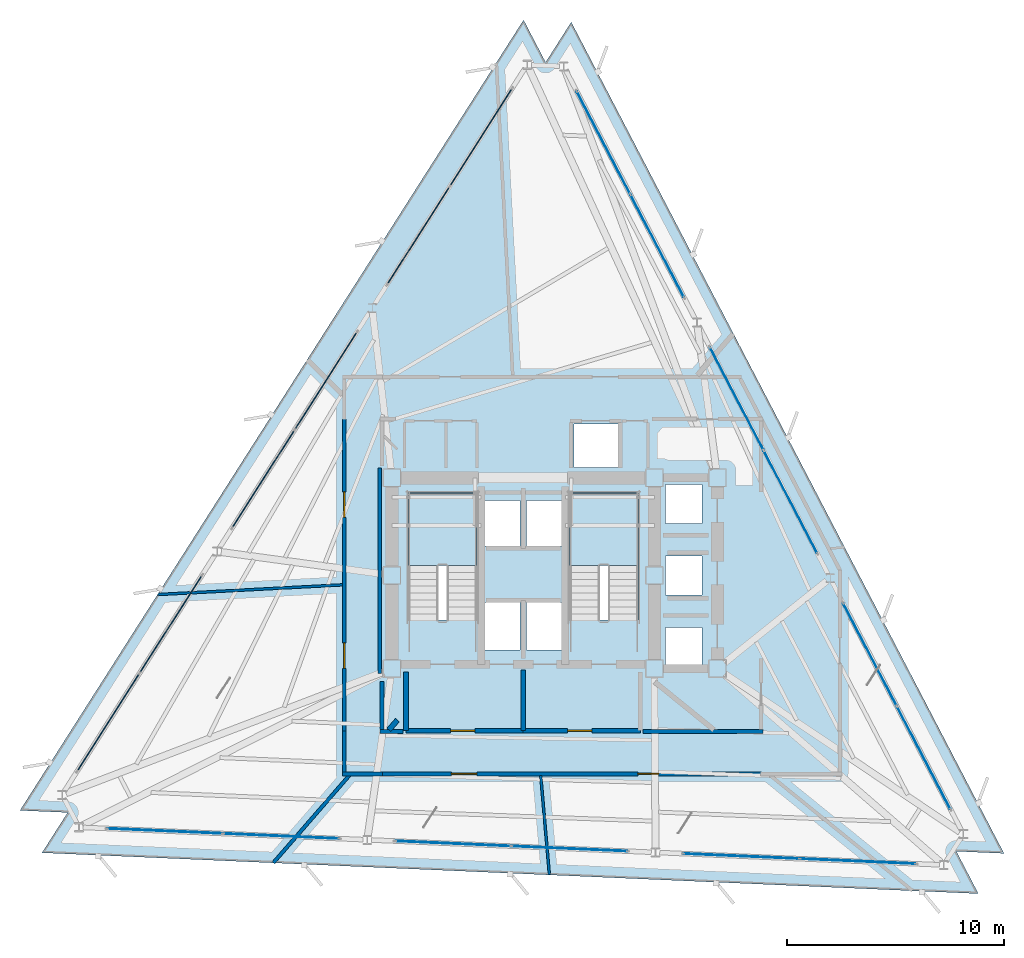
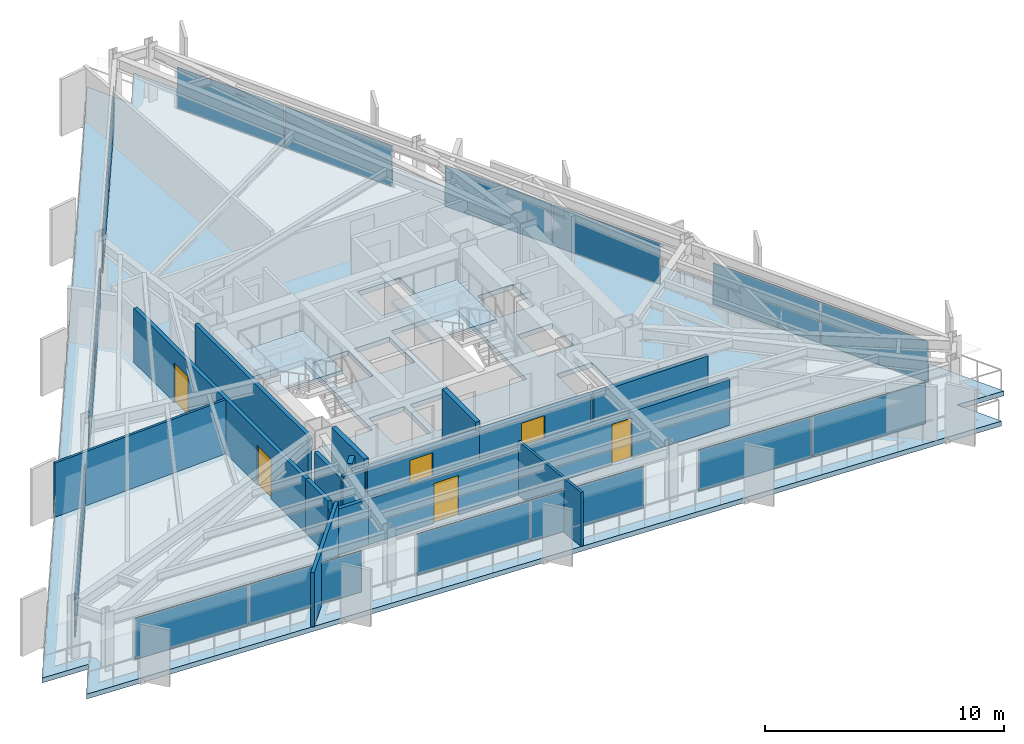
# One storey, part 7 of 12: 18 plates, 16 walls, 6 doors, 3 slabs, 6 openings, 11 elements without a shape of their own.
"""IFC4 building model written with IfcOpenShell, lengths in metres."""

from ifc_helpers import new_model, si_unit, direction, frame, frame_2d, origin, origin_2d, place, context, subcontext, project, spatial, polyline, rectangle, outline, extrude, material, layer, layer_set, type_object, element, fill, aggregate, save


model = new_model("IFC4")

# Units and contexts
model_context = context("Model", 3, precision=1e-05, world=origin(), true_north=direction((0.0, 1.0)))
body_context = subcontext(model_context, "Body", "Model", "MODEL_VIEW")
ifc_project = project(units=[si_unit("LENGTHUNIT", "METRE"), si_unit("AREAUNIT", "SQUARE_METRE"), si_unit("VOLUMEUNIT", "CUBIC_METRE"), si_unit("PLANEANGLEUNIT", "RADIAN"), si_unit("MASSUNIT", "GRAM", prefix="KILO")], contexts=[model_context])

# Site, building, storey
site_placement = place(None, origin())
site = spatial("IfcSite", under=ifc_project, at=site_placement, CompositionType="ELEMENT")
building_placement = place(site_placement, origin())
building = spatial("IfcBuilding", under=site, at=building_placement, Name="Rocaltana Carrier Exchange", CompositionType="ELEMENT")
storey_placement = place(building_placement, frame((0.0, 0.0, 132.0)))
storey = spatial("IfcBuildingStorey", under=building, at=storey_placement, Name="L41", CompositionType="ELEMENT", Elevation=132.0)

# Curtain wall, plates
ifc_material_1 = material(Name="Aluminium 6063-T6", Category="aluminium")
ifc_layer_1 = layer(ifc_material_1, 0.14990234375)
ifc_layer_set_1 = layer_set([ifc_layer_1], Name="Aluminium 6063-T6")
curtain_wall_type = type_object("IfcCurtainWallType", Name="Mid-Tower Unitised Curtain Wall CW-03", PredefinedType="NOTDEFINED", material=ifc_layer_set_1)
curtain_wall_1_placement = place(storey_placement, origin())
curtain_wall_1 = element("IfcCurtainWall", 1, at=curtain_wall_1_placement, inside=storey, type_object=curtain_wall_type, Name="L41 CW-03 Run CW-L41-F1S1", PredefinedType="NOTDEFINED")
ifc_material_2 = material(Name="Tempered Laminated Glass", Category="glass")
ifc_layer_2 = layer(ifc_material_2, 0.0400390625)
ifc_layer_set_2 = layer_set([ifc_layer_2], Name="Tempered Laminated Glass")
plate_type = type_object("IfcPlateType", Name="CW-03 Stone-Insulated Vision Panel", PredefinedType="CURTAIN_PANEL", material=ifc_layer_set_2)
plate_1_placement = place(storey_placement, frame((18.460693359375, -8.4111328125, 0.06005859375), z_axis=(0.0, 0.0, 1.0), x_axis=(-0.461750348962, 0.887009929614, 0.0)))
plate_1 = element("IfcPlate", 2, at=plate_1_placement, type_object=plate_type, Name="CW-03 panel 1.1", PredefinedType="CURTAIN_PANEL", context=body_context, shape_type="SweptSolid", body=[
    extrude(rectangle(XDim=5.31005859375, YDim=0.0400390625, at=origin_2d()), origin(), (0.0, 0.0, 1.0), 2.097900390625),
])
plate_2_placement = place(storey_placement, frame((15.98095703125, -3.64794921875, 0.06005859375), z_axis=(0.0, 0.0, 1.0), x_axis=(-0.461750348962, 0.887009929614, 0.0)))
plate_2 = element("IfcPlate", 3, at=plate_2_placement, type_object=plate_type, Name="CW-03 panel 2.1", PredefinedType="CURTAIN_PANEL", context=body_context, shape_type="SweptSolid", body=[
    extrude(rectangle(XDim=5.31005859375, YDim=0.0400390625, at=origin_2d()), origin(), (0.0, 0.0, 1.0), 2.097900390625),
])
aggregate(curtain_wall_1, [plate_1, plate_2])

curtain_wall_2_placement = place(storey_placement, origin())
curtain_wall_2 = element("IfcCurtainWall", 4, at=curtain_wall_2_placement, inside=storey, type_object=curtain_wall_type, Name="L41 CW-03 Run CW-L41-F1S2", PredefinedType="NOTDEFINED")
plate_3_placement = place(storey_placement, frame((12.3193359375, 3.385986328125, 0.06005859375), z_axis=(0.0, 0.0, 1.0), x_axis=(-0.461746856235, 0.887011747812, 0.0)))
plate_3 = element("IfcPlate", 5, at=plate_3_placement, type_object=plate_type, Name="CW-03 panel 1.1", PredefinedType="CURTAIN_PANEL", context=body_context, shape_type="SweptSolid", body=[
    extrude(rectangle(XDim=5.309814453125, YDim=0.0400390625, at=origin_2d()), origin(), (0.0, 0.0, 1.0), 2.097900390625),
])
plate_4_placement = place(storey_placement, frame((9.83984375, 8.1494140625, 0.06005859375), z_axis=(0.0, 0.0, 1.0), x_axis=(-0.461746856235, 0.887011747812, 0.0)))
plate_4 = element("IfcPlate", 6, at=plate_4_placement, type_object=plate_type, Name="CW-03 panel 2.1", PredefinedType="CURTAIN_PANEL", context=body_context, shape_type="SweptSolid", body=[
    extrude(rectangle(XDim=5.309814453125, YDim=0.0400390625, at=origin_2d()), origin(), (0.0, 0.0, 1.0), 2.097900390625),
])
aggregate(curtain_wall_2, [plate_3, plate_4])

curtain_wall_3_placement = place(storey_placement, origin())
curtain_wall_3 = element("IfcCurtainWall", 7, at=curtain_wall_3_placement, inside=storey, type_object=curtain_wall_type, Name="L41 CW-03 Run CW-L41-F1S3", PredefinedType="NOTDEFINED")
plate_5_placement = place(storey_placement, frame((6.17822265625, 15.183349609375, 0.06005859375), z_axis=(0.0, 0.0, 1.0), x_axis=(-0.461754141383, 0.887007955385, 0.0)))
plate_5 = element("IfcPlate", 8, at=plate_5_placement, type_object=plate_type, Name="CW-03 panel 1.1", PredefinedType="CURTAIN_PANEL", context=body_context, shape_type="SweptSolid", body=[
    extrude(rectangle(XDim=5.31005859375, YDim=0.0400390625, at=origin_2d()), origin(), (0.0, 0.0, 1.0), 2.097900390625),
])
plate_6_placement = place(storey_placement, frame((3.698486328125, 19.946533203125, 0.06005859375), z_axis=(0.0, 0.0, 1.0), x_axis=(-0.461754141383, 0.887007955385, 0.0)))
plate_6 = element("IfcPlate", 9, at=plate_6_placement, type_object=plate_type, Name="CW-03 panel 2.1", PredefinedType="CURTAIN_PANEL", context=body_context, shape_type="SweptSolid", body=[
    extrude(rectangle(XDim=5.31005859375, YDim=0.0400390625, at=origin_2d()), origin(), (0.0, 0.0, 1.0), 2.097900390625),
])
aggregate(curtain_wall_3, [plate_5, plate_6])

curtain_wall_4_placement = place(storey_placement, origin())
curtain_wall_4 = element("IfcCurtainWall", 10, at=curtain_wall_4_placement, inside=storey, type_object=curtain_wall_type, Name="L41 CW-03 Run CW-L41-F2S1", PredefinedType="NOTDEFINED")
plate_7_placement = place(storey_placement, frame((-1.946044921875, 20.19287109375, 0.06005859375), z_axis=(0.0, 0.0, 1.0), x_axis=(-0.537300801443, -0.843390685726, 0.0)))
plate_7 = element("IfcPlate", 11, at=plate_7_placement, type_object=plate_type, Name="CW-03 panel 1.1", PredefinedType="CURTAIN_PANEL", context=body_context, shape_type="SweptSolid", body=[
    extrude(rectangle(XDim=5.31005859375, YDim=0.0400390625, at=origin_2d()), origin(), (0.0, 0.0, 1.0), 2.097900390625),
])
plate_8_placement = place(storey_placement, frame((-4.831298828125, 15.663818359375, 0.06005859375), z_axis=(0.0, 0.0, 1.0), x_axis=(-0.537300801443, -0.843390685726, 0.0)))
plate_8 = element("IfcPlate", 12, at=plate_8_placement, type_object=plate_type, Name="CW-03 panel 2.1", PredefinedType="CURTAIN_PANEL", context=body_context, shape_type="SweptSolid", body=[
    extrude(rectangle(XDim=5.31005859375, YDim=0.0400390625, at=origin_2d()), origin(), (0.0, 0.0, 1.0), 2.097900390625),
])
aggregate(curtain_wall_4, [plate_7, plate_8])

curtain_wall_5_placement = place(storey_placement, origin())
curtain_wall_5 = element("IfcCurtainWall", 13, at=curtain_wall_5_placement, inside=storey, type_object=curtain_wall_type, Name="L41 CW-03 Run CW-L41-F2S2", PredefinedType="NOTDEFINED")
plate_9_placement = place(storey_placement, frame((-9.092041015625, 8.975830078125, 0.06005859375), z_axis=(0.0, 0.0, 1.0), x_axis=(-0.537300801443, -0.843390685726, 0.0)))
plate_9 = element("IfcPlate", 14, at=plate_9_placement, type_object=plate_type, Name="CW-03 panel 1.1", PredefinedType="CURTAIN_PANEL", context=body_context, shape_type="SweptSolid", body=[
    extrude(rectangle(XDim=5.31005859375, YDim=0.0400390625, at=origin_2d()), origin(), (0.0, 0.0, 1.0), 2.097900390625),
])
plate_10_placement = place(storey_placement, frame((-11.977294921875, 4.44677734375, 0.06005859375), z_axis=(0.0, 0.0, 1.0), x_axis=(-0.537300801443, -0.843390685726, 0.0)))
plate_10 = element("IfcPlate", 15, at=plate_10_placement, type_object=plate_type, Name="CW-03 panel 2.1", PredefinedType="CURTAIN_PANEL", context=body_context, shape_type="SweptSolid", body=[
    extrude(rectangle(XDim=5.31005859375, YDim=0.0400390625, at=origin_2d()), origin(), (0.0, 0.0, 1.0), 2.097900390625),
])
aggregate(curtain_wall_5, [plate_9, plate_10])

curtain_wall_6_placement = place(storey_placement, origin())
curtain_wall_6 = element("IfcCurtainWall", 16, at=curtain_wall_6_placement, inside=storey, type_object=curtain_wall_type, Name="L41 CW-03 Run CW-L41-F2S3", PredefinedType="NOTDEFINED")
plate_11_placement = place(storey_placement, frame((-16.23828125, -2.2412109375, 0.06005859375), z_axis=(0.0, 0.0, 1.0), x_axis=(-0.537300801443, -0.843390685726, 0.0)))
plate_11 = element("IfcPlate", 17, at=plate_11_placement, type_object=plate_type, Name="CW-03 panel 1.1", PredefinedType="CURTAIN_PANEL", context=body_context, shape_type="SweptSolid", body=[
    extrude(rectangle(XDim=5.31005859375, YDim=0.0400390625, at=origin_2d()), origin(), (0.0, 0.0, 1.0), 2.097900390625),
])
plate_12_placement = place(storey_placement, frame((-19.12353515625, -6.770263671875, 0.06005859375), z_axis=(0.0, 0.0, 1.0), x_axis=(-0.537300801443, -0.843390685726, 0.0)))
plate_12 = element("IfcPlate", 18, at=plate_12_placement, type_object=plate_type, Name="CW-03 panel 2.1", PredefinedType="CURTAIN_PANEL", context=body_context, shape_type="SweptSolid", body=[
    extrude(rectangle(XDim=5.31005859375, YDim=0.0400390625, at=origin_2d()), origin(), (0.0, 0.0, 1.0), 2.097900390625),
])
aggregate(curtain_wall_6, [plate_11, plate_12])

curtain_wall_7_placement = place(storey_placement, origin())
curtain_wall_7 = element("IfcCurtainWall", 19, at=curtain_wall_7_placement, inside=storey, type_object=curtain_wall_type, Name="L41 CW-03 Run CW-L41-F3S1", PredefinedType="NOTDEFINED")
plate_13_placement = place(storey_placement, frame((-16.5146484375, -11.78173828125, 0.06005859375), z_axis=(0.0, 0.0, 1.0), x_axis=(0.999047789154, -0.043629290456, 0.0)))
plate_13 = element("IfcPlate", 20, at=plate_13_placement, type_object=plate_type, Name="CW-03 panel 1.1", PredefinedType="CURTAIN_PANEL", context=body_context, shape_type="SweptSolid", body=[
    extrude(rectangle(XDim=5.31005859375, YDim=0.0400390625, at=origin_2d()), origin(), (0.0, 0.0, 1.0), 2.097900390625),
])
plate_14_placement = place(storey_placement, frame((-11.149658203125, -12.01611328125, 0.06005859375), z_axis=(0.0, 0.0, 1.0), x_axis=(0.999047789154, -0.043629290456, 0.0)))
plate_14 = element("IfcPlate", 21, at=plate_14_placement, type_object=plate_type, Name="CW-03 panel 2.1", PredefinedType="CURTAIN_PANEL", context=body_context, shape_type="SweptSolid", body=[
    extrude(rectangle(XDim=5.31005859375, YDim=0.0400390625, at=origin_2d()), origin(), (0.0, 0.0, 1.0), 2.097900390625),
])
aggregate(curtain_wall_7, [plate_13, plate_14])

curtain_wall_8_placement = place(storey_placement, origin())
curtain_wall_8 = element("IfcCurtainWall", 22, at=curtain_wall_8_placement, inside=storey, type_object=curtain_wall_type, Name="L41 CW-03 Run CW-L41-F3S2", PredefinedType="NOTDEFINED")
plate_15_placement = place(storey_placement, frame((-3.227294921875, -12.36181640625, 0.06005859375), z_axis=(0.0, 0.0, 1.0), x_axis=(0.999048175081, -0.043620452398, 0.0)))
plate_15 = element("IfcPlate", 23, at=plate_15_placement, type_object=plate_type, Name="CW-03 panel 1.1", PredefinedType="CURTAIN_PANEL", context=body_context, shape_type="SweptSolid", body=[
    extrude(rectangle(XDim=5.31005859375, YDim=0.0400390625, at=origin_2d()), origin(), (0.0, 0.0, 1.0), 2.097900390625),
])
plate_16_placement = place(storey_placement, frame((2.1376953125, -12.59619140625, 0.06005859375), z_axis=(0.0, 0.0, 1.0), x_axis=(0.999048175081, -0.043620452398, 0.0)))
plate_16 = element("IfcPlate", 24, at=plate_16_placement, type_object=plate_type, Name="CW-03 panel 2.1", PredefinedType="CURTAIN_PANEL", context=body_context, shape_type="SweptSolid", body=[
    extrude(rectangle(XDim=5.31005859375, YDim=0.0400390625, at=origin_2d()), origin(), (0.0, 0.0, 1.0), 2.097900390625),
])
aggregate(curtain_wall_8, [plate_15, plate_16])

curtain_wall_9_placement = place(storey_placement, origin())
curtain_wall_9 = element("IfcCurtainWall", 25, at=curtain_wall_9_placement, inside=storey, type_object=curtain_wall_type, Name="L41 CW-03 Run CW-L41-F3S3", PredefinedType="NOTDEFINED")
plate_17_placement = place(storey_placement, frame((10.06005859375, -12.942138671875, 0.06005859375), z_axis=(0.0, 0.0, 1.0), x_axis=(0.999047789154, -0.043629290456, 0.0)))
plate_17 = element("IfcPlate", 26, at=plate_17_placement, type_object=plate_type, Name="CW-03 panel 1.1", PredefinedType="CURTAIN_PANEL", context=body_context, shape_type="SweptSolid", body=[
    extrude(rectangle(XDim=5.31005859375, YDim=0.0400390625, at=origin_2d()), origin(), (0.0, 0.0, 1.0), 2.097900390625),
])
plate_18_placement = place(storey_placement, frame((15.425048828125, -13.17626953125, 0.06005859375), z_axis=(0.0, 0.0, 1.0), x_axis=(0.999047789154, -0.043629290456, 0.0)))
plate_18 = element("IfcPlate", 27, at=plate_18_placement, type_object=plate_type, Name="CW-03 panel 2.1", PredefinedType="CURTAIN_PANEL", context=body_context, shape_type="SweptSolid", body=[
    extrude(rectangle(XDim=5.31005859375, YDim=0.0400390625, at=origin_2d()), origin(), (0.0, 0.0, 1.0), 2.097900390625),
])
aggregate(curtain_wall_9, [plate_17, plate_18])

# Slab
ifc_material_3 = material(Name="Concrete C50/60", Category="concrete")
ifc_layer_3 = layer(ifc_material_3, 0.25)
ifc_layer_set_3 = layer_set([ifc_layer_3], Name="Concrete C50/60")
slab_type_1 = type_object("IfcSlabType", Name="Mid-Zone Tower Slab 250", PredefinedType="FLOOR", material=ifc_layer_set_3)
slab_1_placement = place(storey_placement, frame((0.0, 0.0, -0.25)))
element("IfcSlab", 28, at=slab_1_placement, inside=storey, type_object=slab_type_1, Name="L41 Structural Floor Slab", PredefinedType="FLOOR", context=body_context, shape_type="SweptSolid", body=[
    extrude(outline(polyline([(20.97998046875, -14.669921875), (19.964111328125, -12.718505859375), (22.162109375, -12.814697265625), (2.214599609375, 25.50439453125), (1.032470703125, 23.648681640625), (0.0166015625, 25.600341796875), (-23.194580078125, -10.834228515625), (-20.996826171875, -10.93017578125), (-22.1787109375, -12.78564453125), (20.97998046875, -14.669921875)]), holes=[polyline([(-5.300048828125, -2.06005859375), (-2.139892578125, -2.06005859375), (-2.139892578125, 3.800048828125), (-5.300048828125, 3.800048828125), (-5.300048828125, -2.06005859375)]), polyline([(2.139892578125, -2.06005859375), (5.300048828125, -2.06005859375), (5.300048828125, 3.800048828125), (2.139892578125, 3.800048828125), (2.139892578125, -2.06005859375)]), polyline([(-1.85009765625, -3.449951171875), (-0.14990234375, -3.449951171875), (-0.14990234375, -1.25), (-1.85009765625, -1.25), (-1.85009765625, -3.449951171875)]), polyline([(0.14990234375, -3.449951171875), (1.85009765625, -3.449951171875), (1.85009765625, -1.25), (0.14990234375, -1.25), (0.14990234375, -3.449951171875)]), polyline([(2.35009765625, 4.97998046875), (4.39990234375, 4.97998046875), (4.39990234375, 6.97998046875), (2.35009765625, 6.97998046875), (2.35009765625, 4.97998046875)]), polyline([(-1.85009765625, 1.35009765625), (-0.14990234375, 1.35009765625), (-0.14990234375, 3.449951171875), (-1.85009765625, 3.449951171875), (-1.85009765625, 1.35009765625)]), polyline([(0.14990234375, 1.35009765625), (1.85009765625, 1.35009765625), (1.85009765625, 3.449951171875), (0.14990234375, 3.449951171875), (0.14990234375, 1.35009765625)]), polyline([(6.550048828125, -4.199951171875), (8.25, -4.199951171875), (8.25, -2.39990234375), (6.550048828125, -2.39990234375), (6.550048828125, -4.199951171875)]), polyline([(6.550048828125, -0.89990234375), (8.25, -0.89990234375), (8.25, 0.89990234375), (6.550048828125, 0.89990234375), (6.550048828125, -0.89990234375)]), polyline([(6.550048828125, 2.39990234375), (8.25, 2.39990234375), (8.25, 4.199951171875), (6.550048828125, 4.199951171875), (6.550048828125, 2.39990234375)])]), origin(), (0.0, 0.0, 1.0), 0.25),
])

# Stair, slab
ifc_material_4 = material(Name="Precast concrete C45/55", Category="concrete")
stair_type = type_object("IfcStairType", Name="Standard Dog-Leg Stair 160", PredefinedType="HALF_TURN_STAIR", material=ifc_material_4)
stair_1_placement = place(storey_placement, origin())
stair_1 = element("IfcStair", 29, at=stair_1_placement, inside=storey, type_object=stair_type, Name="L41 Core West Exit Stair ST-1", PredefinedType="HALF_TURN_STAIR")
ifc_material_5 = material(Name="Precast concrete C45/55", Category="concrete")
ifc_layer_4 = layer(ifc_material_5, 0.199951171875)
ifc_layer_set_4 = layer_set([ifc_layer_4], Name="Precast concrete C45/55")
slab_type_2 = type_object("IfcSlabType", Name="Precast Stair Half-Landing 200", PredefinedType="LANDING", material=ifc_layer_set_4)
slab_2_placement = place(storey_placement, frame((0.0, 0.0, 1.320068359375)))
slab_2 = element("IfcSlab", 30, at=slab_2_placement, type_object=slab_type_2, Name="ST-1 landing 1", PredefinedType="LANDING", context=body_context, shape_type="SweptSolid", body=[
    extrude(outline(polyline([(-2.139892578125, 0.4599609375), (-2.139892578125, 3.800048828125), (-5.300048828125, 3.800048828125), (-5.300048828125, 0.4599609375), (-2.139892578125, 0.4599609375)])), origin(), (0.0, 0.0, 1.0), 0.199951171875),
])
aggregate(stair_1, [slab_2])

stair_2_placement = place(storey_placement, origin())
stair_2 = element("IfcStair", 31, at=stair_2_placement, inside=storey, type_object=stair_type, Name="L41 Core East Exit Stair ST-2", PredefinedType="HALF_TURN_STAIR")
slab_3_placement = place(storey_placement, frame((0.0, 0.0, 1.320068359375)))
slab_3 = element("IfcSlab", 32, at=slab_3_placement, type_object=slab_type_2, Name="ST-2 landing 1", PredefinedType="LANDING", context=body_context, shape_type="SweptSolid", body=[
    extrude(outline(polyline([(5.300048828125, 0.4599609375), (5.300048828125, 3.800048828125), (2.139892578125, 3.800048828125), (2.139892578125, 0.4599609375), (5.300048828125, 0.4599609375)])), origin(), (0.0, 0.0, 1.0), 0.199951171875),
])
aggregate(stair_2, [slab_3])

# Walls
ifc_material_6 = material(Name="Double Acoustic Gypsum Partition", Category="gypsum")
ifc_layer_5 = layer(ifc_material_6, 0.159912109375)
ifc_layer_set_5 = layer_set([ifc_layer_5], Name="Double Acoustic Gypsum Partition")
wall_type_1 = type_object("IfcWallType", Name="Acoustic Studio Partition 160 EI60", PredefinedType="PARTITIONING", material=ifc_layer_set_5)
wall_1_placement = place(storey_placement, frame((-8.0234375, -9.22998046875, 0.0), z_axis=(0.0, 0.0, 1.0), x_axis=(-0.656052478168, -0.754715274716, 0.0)))
element("IfcWall", 33, at=wall_1_placement, inside=storey, type_object=wall_type_1, Name="L41 Suite Divider Wall D3", PredefinedType="PARTITIONING", context=body_context, shape_type="SweptSolid", body=[
    extrude(rectangle(XDim=5.315185546875, YDim=0.159912109375, at=frame_2d((2.65771484375, 0.0))), origin(), (0.0, 0.0, 1.0), 2.762939453125),
])
ifc_material_7 = material(Name="Gypsum & Steel Stud Partition", Category="steel")
ifc_layer_6 = layer(ifc_material_7, 0.179931640625)
ifc_layer_set_6 = layer_set([ifc_layer_6], Name="Gypsum & Steel Stud Partition")
wall_type_2 = type_object("IfcWallType", Name="Corridor Fire Partition 180 EI60", PredefinedType="PARTITIONING", material=ifc_layer_set_6)
wall_2_placement = place(storey_placement, frame((-6.47998046875, -9.14990234375, 0.0), z_axis=(0.0, 0.0, 1.0), x_axis=(-1.0, 0.0, 0.0)))
element("IfcWall", 34, at=wall_2_placement, inside=storey, type_object=wall_type_2, Name="L41 Corridor Partition 1", PredefinedType="PARTITIONING", context=body_context, shape_type="SweptSolid", body=[
    extrude(rectangle(XDim=1.860107421875, YDim=0.179931640625, at=frame_2d((0.93017578125, 0.0))), origin(), (0.0, 0.0, 1.0), 2.330078125),
])
wall_3_placement = place(storey_placement, frame((-8.25, -9.06005859375, 0.0), z_axis=(0.0, 0.0, 1.0), x_axis=(0.0, 1.0, 0.0)))
element("IfcWall", 35, at=wall_3_placement, inside=storey, type_object=wall_type_2, Name="L41 Corridor Partition 2", PredefinedType="PARTITIONING", context=body_context, shape_type="SweptSolid", body=[
    extrude(rectangle(XDim=1.880126953125, YDim=0.179931640625, at=frame_2d((0.93994140625, 0.0))), origin(), (0.0, 0.0, 1.0), 2.762939453125),
])

# Wall, openings, doors
wall_4_placement = place(storey_placement, frame((-8.25, -7.219970703125, 0.0), z_axis=(0.0, 0.0, 1.0), x_axis=(0.0, 1.0, 0.0)))
wall_4 = element("IfcWall", 36, at=wall_4_placement, inside=storey, type_object=wall_type_2, Name="L41 Corridor Partition 3", PredefinedType="PARTITIONING", context=body_context, shape_type="SweptSolid", body=[
    extrude(rectangle(XDim=14.43994140625, YDim=0.179931640625, at=frame_2d((7.219970703125, 0.0))), origin(), (0.0, 0.0, 1.0), 2.762939453125),
])
opening_1_placement = place(wall_4_placement, frame((2.931884765625, 0.0, 0.0)))
opening_1 = element("IfcOpeningElement", 37, at=opening_1_placement, cuts=wall_4, Name="Opening D-SU120", PredefinedType="OPENING", context=body_context, shape_type="SweptSolid", body=[
    extrude(rectangle(XDim=1.179931640625, YDim=2.02001953125, at=frame_2d((0.58984375, 1.010009765625))), frame((0.0, 0.099853515625, 0.0), z_axis=(0.0, -1.0, 0.0), x_axis=(1.0, 0.0, 0.0)), (0.0, 0.0, 1.0), 0.199951171875),
])
opening_2_placement = place(wall_4_placement, frame((9.8916015625, 0.0, 0.0)))
opening_2 = element("IfcOpeningElement", 38, at=opening_2_placement, cuts=wall_4, Name="Opening D-SU120", PredefinedType="OPENING", context=body_context, shape_type="SweptSolid", body=[
    extrude(rectangle(XDim=1.179931640625, YDim=2.02001953125, at=frame_2d((0.58984375, 1.010009765625))), frame((0.0, 0.099853515625, 0.0), z_axis=(0.0, -1.0, 0.0), x_axis=(1.0, 0.0, 0.0)), (0.0, 0.0, 1.0), 0.199951171875),
])
ifc_material_8 = material(Name="Engineered Hardwood Timber", Category="wood")
door_type_1 = type_object("IfcDoorType", Name="Suite Double Entrance Door 1180x2020", OperationType="NOTDEFINED", PredefinedType="DOOR", material=ifc_material_8)
door_1_placement = place(opening_1_placement, origin())
door_1 = element("IfcDoor", 39, at=door_1_placement, inside=storey, type_object=door_type_1, Name="L41 Carrier Peering Suite Entrance Door", OperationType="SINGLE_SWING_RIGHT", OverallHeight=2.02001953125, OverallWidth=1.179931640625, PredefinedType="DOOR", context=body_context, shape_type="SweptSolid", body=[
    extrude(rectangle(XDim=1.179931640625, YDim=2.02001953125, at=frame_2d((0.58984375, 1.010009765625))), frame((0.0, 0.02490234375, 0.0), z_axis=(0.0, -1.0, 0.0), x_axis=(1.0, 0.0, 0.0)), (0.0, 0.0, 1.0), 0.050048828125),
])
fill(opening_1, door_1)
door_2_placement = place(opening_2_placement, origin())
door_2 = element("IfcDoor", 40, at=door_2_placement, inside=storey, type_object=door_type_1, Name="L41 Carrier Peering Suite Entrance Door", OperationType="SINGLE_SWING_RIGHT", OverallHeight=2.02001953125, OverallWidth=1.179931640625, PredefinedType="DOOR", context=body_context, shape_type="SweptSolid", body=[
    extrude(rectangle(XDim=1.179931640625, YDim=2.02001953125, at=frame_2d((0.58984375, 1.010009765625))), frame((0.0, 0.02490234375, 0.0), z_axis=(0.0, -1.0, 0.0), x_axis=(1.0, 0.0, 0.0)), (0.0, 0.0, 1.0), 0.050048828125),
])
fill(opening_2, door_2)

wall_5_placement = place(storey_placement, frame((10.97998046875, -9.14990234375, 0.0), z_axis=(0.0, 0.0, 1.0), x_axis=(-1.0, 0.0, 0.0)))
wall_5 = element("IfcWall", 41, at=wall_5_placement, inside=storey, type_object=wall_type_2, Name="L41 Corridor Partition 11", PredefinedType="PARTITIONING", context=body_context, shape_type="SweptSolid", body=[
    extrude(rectangle(XDim=17.5, YDim=0.179931640625, at=frame_2d((8.75, 0.0))), origin(), (0.0, 0.0, 1.0), 2.330078125),
])
opening_3_placement = place(wall_5_placement, frame((13.1162109375, 0.0, 0.0)))
opening_3 = element("IfcOpeningElement", 42, at=opening_3_placement, cuts=wall_5, Name="Opening D-SU120", PredefinedType="OPENING", context=body_context, shape_type="SweptSolid", body=[
    extrude(rectangle(XDim=1.179931640625, YDim=2.02001953125, at=frame_2d((0.58984375, 1.010009765625))), frame((0.0, 0.099853515625, 0.0), z_axis=(0.0, -1.0, 0.0), x_axis=(1.0, 0.0, 0.0)), (0.0, 0.0, 1.0), 0.199951171875),
])
opening_4_placement = place(wall_5_placement, frame((4.736328125, 0.0, 0.0)))
opening_4 = element("IfcOpeningElement", 43, at=opening_4_placement, cuts=wall_5, Name="Opening D-RM098", PredefinedType="OPENING", context=body_context, shape_type="SweptSolid", body=[
    extrude(rectangle(XDim=0.9599609375, YDim=2.02001953125, at=frame_2d((0.47998046875, 1.010009765625))), frame((0.0, 0.099853515625, 0.0), z_axis=(0.0, -1.0, 0.0), x_axis=(1.0, 0.0, 0.0)), (0.0, 0.0, 1.0), 0.199951171875),
])
door_3_placement = place(opening_3_placement, origin())
door_3 = element("IfcDoor", 44, at=door_3_placement, inside=storey, type_object=door_type_1, Name="L41 Carrier Peering Suite Entrance Door", OperationType="SINGLE_SWING_LEFT", OverallHeight=2.02001953125, OverallWidth=1.179931640625, PredefinedType="DOOR", context=body_context, shape_type="SweptSolid", body=[
    extrude(rectangle(XDim=1.179931640625, YDim=2.02001953125, at=frame_2d((0.58984375, 1.010009765625))), frame((0.0, 0.02490234375, 0.0), z_axis=(0.0, -1.0, 0.0), x_axis=(1.0, 0.0, 0.0)), (0.0, 0.0, 1.0), 0.050048828125),
])
fill(opening_3, door_3)
ifc_material_9 = material(Name="Engineered Hardwood Timber", Category="wood")
door_type_2 = type_object("IfcDoorType", Name="Workspace Single Door 960x2020", OperationType="NOTDEFINED", PredefinedType="DOOR", material=ifc_material_9)
door_4_placement = place(opening_4_placement, origin())
door_4 = element("IfcDoor", 45, at=door_4_placement, inside=storey, type_object=door_type_2, Name="L41 Cloud Architecture Office Entrance Door", OperationType="SINGLE_SWING_RIGHT", OverallHeight=2.02001953125, OverallWidth=0.9599609375, PredefinedType="DOOR", context=body_context, shape_type="SweptSolid", body=[
    extrude(rectangle(XDim=0.9599609375, YDim=2.02001953125, at=frame_2d((0.47998046875, 1.010009765625))), frame((0.0, 0.02490234375, 0.0), z_axis=(0.0, -1.0, 0.0), x_axis=(1.0, 0.0, 0.0)), (0.0, 0.0, 1.0), 0.050048828125),
])
fill(opening_4, door_4)

# Walls
wall_6_placement = place(storey_placement, frame((5.530029296875, -7.199951171875, 0.0), z_axis=(0.0, 0.0, 1.0), x_axis=(1.0, 0.0, 0.0)))
element("IfcWall", 46, at=wall_6_placement, inside=storey, type_object=wall_type_2, Name="L41 Corridor Partition 12", PredefinedType="PARTITIONING", context=body_context, shape_type="SweptSolid", body=[
    extrude(rectangle(XDim=5.52001953125, YDim=0.179931640625, at=frame_2d((2.760009765625, 0.0))), origin(), (0.0, 0.0, 1.0), 2.330078125),
])
wall_7_placement = place(storey_placement, frame((-6.610107421875, 4.93994140625, 0.0), z_axis=(0.0, 0.0, 1.0), x_axis=(0.0, -1.0, 0.0)))
element("IfcWall", 47, at=wall_7_placement, inside=storey, type_object=wall_type_2, Name="L41 Corridor Partition 18", PredefinedType="PARTITIONING", context=body_context, shape_type="SweptSolid", body=[
    extrude(rectangle(XDim=9.4599609375, YDim=0.179931640625, at=frame_2d((4.72998046875, 0.0))), origin(), (0.0, 0.0, 1.0), 2.762939453125),
])
wall_8_placement = place(storey_placement, frame((-6.5, -4.8798828125, 0.0), z_axis=(0.0, 0.0, 1.0), x_axis=(0.0, -1.0, 0.0)))
element("IfcWall", 48, at=wall_8_placement, inside=storey, type_object=wall_type_2, Name="L41 Corridor Partition 19", PredefinedType="PARTITIONING", context=body_context, shape_type="SweptSolid", body=[
    extrude(rectangle(XDim=2.230224609375, YDim=0.179931640625, at=frame_2d((1.115234375, 0.0))), origin(), (0.0, 0.0, 1.0), 2.132080078125),
])
wall_9_placement = place(storey_placement, frame((-6.590087890625, -7.199951171875, 0.0), z_axis=(0.0, 0.0, 1.0), x_axis=(1.0, 0.0, 0.0)))
element("IfcWall", 49, at=wall_9_placement, inside=storey, type_object=wall_type_2, Name="L41 Corridor Partition 20", PredefinedType="PARTITIONING", context=body_context, shape_type="SweptSolid", body=[
    extrude(rectangle(XDim=1.06005859375, YDim=0.179931640625, at=frame_2d((0.530029296875, 0.0))), origin(), (0.0, 0.0, 1.0), 2.330078125),
])
ifc_material_10 = material(Name="Aluminium 6063-T6 & Acoustic Glass", Category="aluminium")
ifc_layer_7 = layer(ifc_material_10, 0.114990234375)
ifc_layer_set_7 = layer_set([ifc_layer_7], Name="Aluminium 6063-T6 & Acoustic Glass")
wall_type_3 = type_object("IfcWallType", Name="Demountable Glazed Lab Partition 115", PredefinedType="MOVABLE", material=ifc_layer_set_7)
wall_10_placement = place(storey_placement, frame((-8.330078125, -0.4365234375, 0.0), z_axis=(0.0, 0.0, 1.0), x_axis=(-0.998628646782, -0.052352897024, 0.0)))
element("IfcWall", 50, at=wall_10_placement, inside=storey, type_object=wall_type_3, Name="L41 Suite Divider Wall D1", PredefinedType="MOVABLE", context=body_context, shape_type="SweptSolid", body=[
    extrude(rectangle(XDim=8.524658203125, YDim=0.114990234375, at=frame_2d((4.26220703125, 0.0))), origin(), (0.0, 0.0, 1.0), 2.762939453125),
])
wall_11_placement = place(storey_placement, frame((0.8076171875, -9.22998046875, 0.0), z_axis=(0.0, 0.0, 1.0), x_axis=(0.087130613331, -0.996196896311, 0.0)))
element("IfcWall", 51, at=wall_11_placement, inside=storey, type_object=wall_type_3, Name="L41 Suite Divider Wall D4", PredefinedType="MOVABLE", context=body_context, shape_type="SweptSolid", body=[
    extrude(rectangle(XDim=4.583984375, YDim=0.114990234375, at=frame_2d((2.2919921875, 0.0))), origin(), (0.0, 0.0, 1.0), 2.762939453125),
])
ifc_material_11 = material(Name="Autoclaved Aerated Concrete C30/37", Category="concrete")
ifc_layer_8 = layer(ifc_material_11, 0.219970703125)
ifc_layer_set_8 = layer_set([ifc_layer_8], Name="Autoclaved Aerated Concrete C30/37")
wall_type_4 = type_object("IfcWallType", Name="Firefighting Lobby Wall 220 EI120", PredefinedType="PARTITIONING", material=ifc_layer_set_8)
wall_12_placement = place(storey_placement, frame((-5.39990234375, -7.159912109375, 0.0), z_axis=(0.0, 0.0, 1.0), x_axis=(0.0, 1.0, 0.0)))
element("IfcWall", 52, at=wall_12_placement, inside=storey, type_object=wall_type_4, Name="L41 FFL Lobby 1 West Wall", PredefinedType="PARTITIONING", context=body_context, shape_type="SweptSolid", body=[
    extrude(rectangle(XDim=2.7099609375, YDim=0.219970703125, at=frame_2d((1.35498046875, 0.0))), origin(), (0.0, 0.0, 1.0), 2.762939453125),
])
wall_13_placement = place(storey_placement, frame((0.0, -7.159912109375, 0.0), z_axis=(0.0, 0.0, 1.0), x_axis=(0.0, 1.0, 0.0)))
element("IfcWall", 53, at=wall_13_placement, inside=storey, type_object=wall_type_4, Name="L41 FFL Lobby Centre Wall", PredefinedType="PARTITIONING", context=body_context, shape_type="SweptSolid", body=[
    extrude(rectangle(XDim=2.809814453125, YDim=0.219970703125, at=frame_2d((1.40478515625, 0.0))), origin(), (0.0, 0.0, 1.0), 2.762939453125),
])

# Wall, opening, door
wall_14_placement = place(storey_placement, frame((-5.39990234375, -7.159912109375, 0.0), z_axis=(0.0, 0.0, 1.0), x_axis=(1.0, 0.0, 0.0)))
wall_14 = element("IfcWall", 54, at=wall_14_placement, inside=storey, type_object=wall_type_4, Name="L41 FFL Lobby 1 South Wall", PredefinedType="PARTITIONING", context=body_context, shape_type="SweptSolid", body=[
    extrude(rectangle(XDim=5.39990234375, YDim=0.219970703125, at=frame_2d((2.699951171875, 0.0))), origin(), (0.0, 0.0, 1.0), 2.330078125),
])
opening_5_placement = place(wall_14_placement, frame((2.050048828125, 0.0, 0.0)))
opening_5 = element("IfcOpeningElement", 55, at=opening_5_placement, cuts=wall_14, Name="Opening D-FF115", PredefinedType="OPENING", context=body_context, shape_type="SweptSolid", body=[
    extrude(rectangle(XDim=1.1201171875, YDim=2.02001953125, at=frame_2d((0.56005859375, 1.010009765625))), frame((0.0, 0.119873046875, 0.0), z_axis=(0.0, -1.0, 0.0), x_axis=(1.0, 0.0, 0.0)), (0.0, 0.0, 1.0), 0.239990234375),
])
ifc_material_12 = material(Name="Hollow Metal Fire Door Assembly", Category="steel")
door_type_3 = type_object("IfcDoorType", Name="Firefighting Lobby Door 1120x2020 FD60S", OperationType="NOTDEFINED", PredefinedType="DOOR", material=ifc_material_12)
door_5_placement = place(opening_5_placement, origin())
door_5 = element("IfcDoor", 56, at=door_5_placement, inside=storey, type_object=door_type_3, Name="L41 Firefighting Lift Lobby 1 Door", OperationType="SINGLE_SWING_LEFT", OverallHeight=2.02001953125, OverallWidth=1.1201171875, PredefinedType="DOOR", context=body_context, shape_type="SweptSolid", body=[
    extrude(rectangle(XDim=1.1201171875, YDim=2.02001953125, at=frame_2d((0.56005859375, 1.010009765625))), frame((0.0, 0.02490234375, 0.0), z_axis=(0.0, -1.0, 0.0), x_axis=(1.0, 0.0, 0.0)), (0.0, 0.0, 1.0), 0.050048828125),
])
fill(opening_5, door_5)

wall_15_placement = place(storey_placement, frame((0.0, -7.159912109375, 0.0), z_axis=(0.0, 0.0, 1.0), x_axis=(1.0, 0.0, 0.0)))
wall_15 = element("IfcWall", 57, at=wall_15_placement, inside=storey, type_object=wall_type_4, Name="L41 FFL Lobby 2 South Wall", PredefinedType="PARTITIONING", context=body_context, shape_type="SweptSolid", body=[
    extrude(rectangle(XDim=5.39990234375, YDim=0.219970703125, at=frame_2d((2.699951171875, 0.0))), origin(), (0.0, 0.0, 1.0), 2.330078125),
])
opening_6_placement = place(wall_15_placement, frame((2.050048828125, 0.0, 0.0)))
opening_6 = element("IfcOpeningElement", 58, at=opening_6_placement, cuts=wall_15, Name="Opening D-FF115", PredefinedType="OPENING", context=body_context, shape_type="SweptSolid", body=[
    extrude(rectangle(XDim=1.1201171875, YDim=2.02001953125, at=frame_2d((0.56005859375, 1.010009765625))), frame((0.0, 0.119873046875, 0.0), z_axis=(0.0, -1.0, 0.0), x_axis=(1.0, 0.0, 0.0)), (0.0, 0.0, 1.0), 0.239990234375),
])
door_6_placement = place(opening_6_placement, origin())
door_6 = element("IfcDoor", 59, at=door_6_placement, inside=storey, type_object=door_type_3, Name="L41 Firefighting Lift Lobby 2 Door", OperationType="SINGLE_SWING_RIGHT", OverallHeight=2.02001953125, OverallWidth=1.1201171875, PredefinedType="DOOR", context=body_context, shape_type="SweptSolid", body=[
    extrude(rectangle(XDim=1.1201171875, YDim=2.02001953125, at=frame_2d((0.56005859375, 1.010009765625))), frame((0.0, 0.02490234375, 0.0), z_axis=(0.0, -1.0, 0.0), x_axis=(1.0, 0.0, 0.0)), (0.0, 0.0, 1.0), 0.050048828125),
])
fill(opening_6, door_6)

# Wall
ifc_material_13 = material(Name="Acoustic Calcium Silicate Partition", Category="gypsum")
ifc_layer_9 = layer(ifc_material_13, 0.239990234375)
ifc_layer_set_9 = layer_set([ifc_layer_9], Name="Acoustic Calcium Silicate Partition")
wall_type_5 = type_object("IfcWallType", Name="Heavy Lab Partition 240 EI90", PredefinedType="PARTITIONING", material=ifc_layer_set_9)
wall_16_placement = place(storey_placement, frame((-5.800048828125, -6.672119140625, 0.0), z_axis=(0.0, 0.0, 1.0), x_axis=(-0.655791573116, -0.754941992891, 0.0)))
element("IfcWall", 60, at=wall_16_placement, inside=storey, type_object=wall_type_5, Name="L41 Suite Divider Wall D2", PredefinedType="PARTITIONING", context=body_context, shape_type="SweptSolid", body=[
    extrude(rectangle(XDim=0.593505859375, YDim=0.239990234375, at=frame_2d((0.296875, 0.0))), origin(), (0.0, 0.0, 1.0), 2.762939453125),
])

save(model, "model.ifc")
